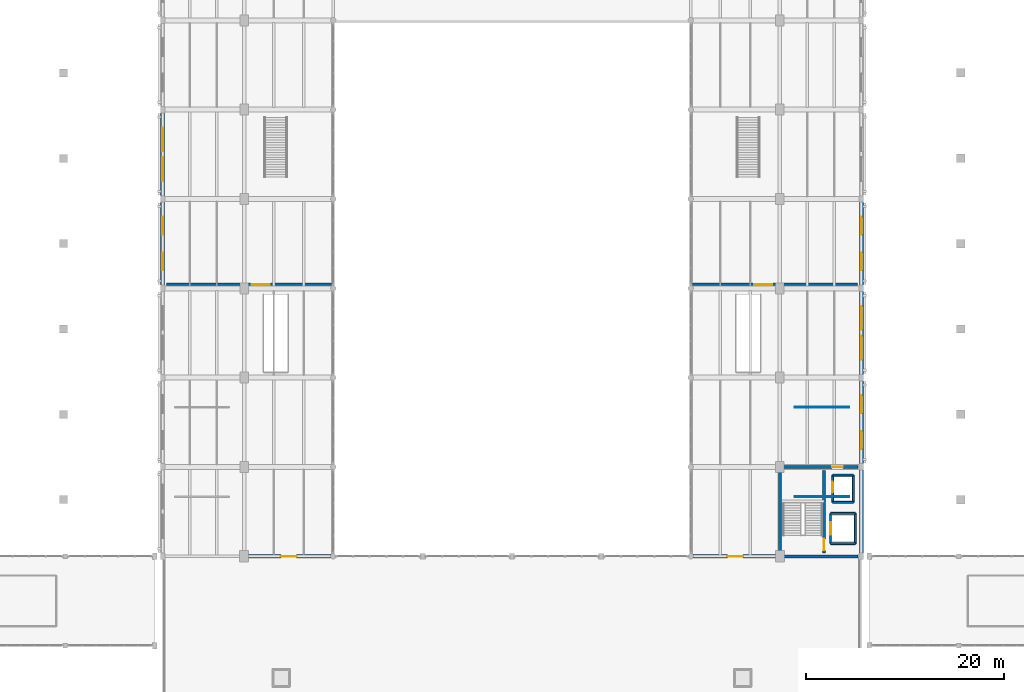
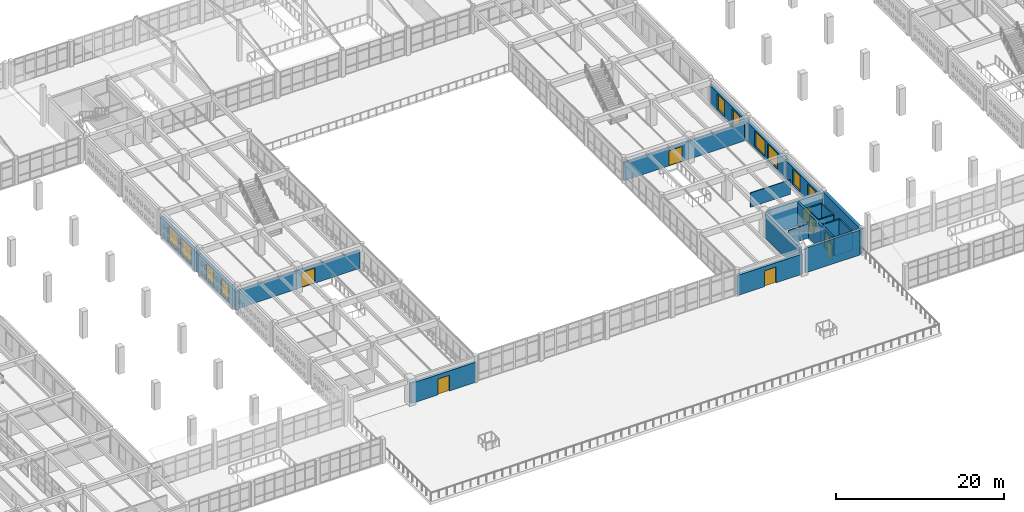
# One storey, part 129 of 156: 24 walls, 10 windows, 8 doors, 18 openings.
"""IFC4 building model written with IfcOpenShell, lengths in metres."""

from ifc_helpers import new_model, si_unit, direction, frame, frame_2d, origin, place, context, subcontext, project, spatial, rectangle, extrude, material, layer, layer_set, type_object, element, fill, save


model = new_model("IFC4")

# Units and contexts
model_context = context("Model", 3, precision=1e-05, world=origin(), true_north=direction((0.0, 1.0)))
body_context = subcontext(model_context, "Body", "Model", "MODEL_VIEW")
ifc_project = project(units=[si_unit("LENGTHUNIT", "METRE"), si_unit("AREAUNIT", "SQUARE_METRE"), si_unit("VOLUMEUNIT", "CUBIC_METRE"), si_unit("PLANEANGLEUNIT", "RADIAN"), si_unit("MASSUNIT", "GRAM", prefix="KILO")], contexts=[model_context])

# Site, building, storey
site_placement = place(None, origin())
site = spatial("IfcSite", under=ifc_project, at=site_placement, CompositionType="ELEMENT")
building_placement = place(site_placement, origin())
building = spatial("IfcBuilding", under=site, at=building_placement, Name="Ornek Quay Market", CompositionType="ELEMENT")
storey_placement = place(building_placement, frame((0.0, 0.0, 4.5)))
storey = spatial("IfcBuildingStorey", under=building, at=storey_placement, Name="L01", CompositionType="ELEMENT", Elevation=4.5)

# Wall, opening, door
ifc_material_1 = material(Name="Concrete C40/50", Category="concrete")
ifc_layer_1 = layer(ifc_material_1, 0.300048828125, Name="Concrete C40/50", Category="concrete")
ifc_layer_set_1 = layer_set([ifc_layer_1], Name="Concrete C40/50")
wall_type_1 = type_object("IfcWallType", Name="WL-CORE-300", PredefinedType="SHEAR", material=ifc_layer_set_1)
wall_1_placement = place(storey_placement, frame((121.449951171875, 29.35009765625, 0.0), z_axis=(0.0, 0.0, 1.0), x_axis=(0.0, 1.0, 0.0)))
wall_1 = element("IfcWall", 1, at=wall_1_placement, inside=storey, type_object=wall_type_1, Name="Interior wall W-CORE1-098", PredefinedType="SHEAR", context=body_context, shape_type="SweptSolid", body=[
    extrude(rectangle(XDim=8.2998046875, YDim=0.300048828125, at=frame_2d((4.14990234375, 0.0))), origin(), (0.0, 0.0, 1.0), 3.6201171875),
])
opening_1_placement = place(wall_1_placement, frame((0.25, 0.0, 0.0)))
opening_1 = element("IfcOpeningElement", 2, at=opening_1_placement, cuts=wall_1, Name="Opening FD-03-038", PredefinedType="OPENING", context=body_context, shape_type="SweptSolid", body=[
    extrude(rectangle(XDim=1.14990234375, YDim=2.14990234375, at=frame_2d((0.574951171875, 1.074951171875))), frame((0.0, 0.159912109375, 0.0), z_axis=(0.0, -1.0, 0.0), x_axis=(1.0, 0.0, 0.0)), (0.0, 0.0, 1.0), 0.320068359375),
])
ifc_material_2 = material(Name="Insulated fire-rated painted steel", Category="steel")
door_type_1 = type_object("IfcDoorType", Name="DR-FIRE-STAIR-1150x2150", OperationType="NOTDEFINED", PredefinedType="DOOR", material=ifc_material_2)
door_1_placement = place(opening_1_placement, origin())
door_1 = element("IfcDoor", 3, at=door_1_placement, inside=storey, type_object=door_type_1, Name="Interior door FD-03-038", OperationType="SINGLE_SWING_LEFT", OverallHeight=2.14990234375, OverallWidth=1.14990234375, PredefinedType="DOOR", context=body_context, shape_type="SweptSolid", body=[
    extrude(rectangle(XDim=1.14990234375, YDim=2.14990234375, at=frame_2d((0.574951171875, 1.074951171875))), frame((0.0, 0.02490234375, 0.0), z_axis=(0.0, -1.0, 0.0), x_axis=(1.0, 0.0, 0.0)), (0.0, 0.0, 1.0), 0.050048828125),
])
fill(opening_1, door_1)

# Walls
wall_2_placement = place(storey_placement, frame((117.0, 29.35009765625, 0.0), z_axis=(0.0, 0.0, 1.0), x_axis=(0.0, 1.0, 0.0)))
element("IfcWall", 4, at=wall_2_placement, inside=storey, type_object=wall_type_1, Name="Interior wall W-CORE1-099", PredefinedType="SHEAR", context=body_context, shape_type="SweptSolid", body=[
    extrude(rectangle(XDim=8.2998046875, YDim=0.300048828125, at=frame_2d((4.14990234375, 0.0))), origin(), (0.0, 0.0, 1.0), 3.6201171875),
])
wall_3_placement = place(storey_placement, frame((117.35009765625, 29.0, 0.0), z_axis=(0.0, 0.0, 1.0), x_axis=(1.0, 0.0, 0.0)))
element("IfcWall", 5, at=wall_3_placement, inside=storey, type_object=wall_type_1, Name="Interior wall W-CORE1-100", PredefinedType="SHEAR", context=body_context, shape_type="SweptSolid", body=[
    extrude(rectangle(XDim=7.5, YDim=0.300048828125, at=frame_2d((3.75, 0.0))), origin(), (0.0, 0.0, 1.0), 3.6201171875),
])

# Wall, opening, door
wall_4_placement = place(storey_placement, frame((117.35009765625, 38.0, 0.0), z_axis=(0.0, 0.0, 1.0), x_axis=(1.0, 0.0, 0.0)))
wall_4 = element("IfcWall", 6, at=wall_4_placement, inside=storey, type_object=wall_type_1, Name="Interior wall W-CORE1-101", PredefinedType="SHEAR", context=body_context, shape_type="SweptSolid", body=[
    extrude(rectangle(XDim=7.5, YDim=0.300048828125, at=frame_2d((3.75, 0.0))), origin(), (0.0, 0.0, 1.0), 3.6201171875),
])
opening_2_placement = place(wall_4_placement, frame((4.89990234375, 0.0, 0.0)))
opening_2 = element("IfcOpeningElement", 7, at=opening_2_placement, cuts=wall_4, Name="Opening FD-04-039", PredefinedType="OPENING", context=body_context, shape_type="SweptSolid", body=[
    extrude(rectangle(XDim=1.10009765625, YDim=2.10009765625, at=frame_2d((0.550048828125, 1.050048828125))), frame((0.0, 0.159912109375, 0.0), z_axis=(0.0, -1.0, 0.0), x_axis=(1.0, 0.0, 0.0)), (0.0, 0.0, 1.0), 0.320068359375),
])
door_type_2 = type_object("IfcDoorType", Name="DR-FIRE-LOBBY-1100x2100", OperationType="NOTDEFINED", PredefinedType="DOOR", material=ifc_material_2)
door_2_placement = place(opening_2_placement, origin())
door_2 = element("IfcDoor", 8, at=door_2_placement, inside=storey, type_object=door_type_2, Name="Interior door FD-04-039", OperationType="SINGLE_SWING_RIGHT", OverallHeight=2.10009765625, OverallWidth=1.10009765625, PredefinedType="DOOR", context=body_context, shape_type="SweptSolid", body=[
    extrude(rectangle(XDim=1.10009765625, YDim=2.10009765625, at=frame_2d((0.550048828125, 1.050048828125))), frame((0.0, 0.02490234375, 0.0), z_axis=(0.0, -1.0, 0.0), x_axis=(1.0, 0.0, 0.0)), (0.0, 0.0, 1.0), 0.050048828125),
])
fill(opening_2, door_2)

ifc_material_3 = material(Name="Concrete C45/55", Category="concrete")
ifc_layer_2 = layer(ifc_material_3, 0.340087890625, Name="Concrete C45/55", Category="concrete")
ifc_layer_set_2 = layer_set([ifc_layer_2], Name="Concrete C45/55")
wall_type_2 = type_object("IfcWallType", Name="WL-EXT-GAB-340", PredefinedType="SOLIDWALL", material=ifc_layer_set_2)
wall_5_placement = place(storey_placement, frame((63.0, 29.0, 0.0), z_axis=(0.0, 0.0, 1.0), x_axis=(1.0, 0.0, 0.0)))
wall_5 = element("IfcWall", 9, at=wall_5_placement, inside=storey, type_object=wall_type_2, Name="Exterior wall EW-149", PredefinedType="SOLIDWALL", context=body_context, shape_type="SweptSolid", body=[
    extrude(rectangle(XDim=9.0, YDim=0.340087890625, at=frame_2d((4.5, 0.0))), origin(), (0.0, 0.0, 1.0), 2.93994140625),
])
opening_3_placement = place(wall_5_placement, frame((3.699951171875, 0.0, 0.0)))
opening_3 = element("IfcOpeningElement", 10, at=opening_3_placement, cuts=wall_5, Name="Opening ED-04-035", PredefinedType="OPENING", context=body_context, shape_type="SweptSolid", body=[
    extrude(rectangle(XDim=1.60009765625, YDim=2.300048828125, at=frame_2d((0.800048828125, 1.14990234375))), frame((0.0, 0.179931640625, 0.0), z_axis=(0.0, -1.0, 0.0), x_axis=(1.0, 0.0, 0.0)), (0.0, 0.0, 1.0), 0.360107421875),
])
ifc_material_4 = material(Name="Anodised bronze aluminium and triple glass", Category="aluminium")
door_type_3 = type_object("IfcDoorType", Name="DR-EXT-TER-1600x2300", OperationType="DOUBLE_DOOR_SINGLE_SWING", PredefinedType="DOOR", material=ifc_material_4)
door_3_placement = place(opening_3_placement, origin())
door_3 = element("IfcDoor", 11, at=door_3_placement, inside=storey, type_object=door_type_3, Name="Exterior door ED-04-035", OperationType="DOUBLE_DOOR_SINGLE_SWING", OverallHeight=2.300048828125, OverallWidth=1.60009765625, PredefinedType="DOOR", context=body_context, shape_type="SweptSolid", body=[
    extrude(rectangle(XDim=1.60009765625, YDim=2.300048828125, at=frame_2d((0.800048828125, 1.14990234375))), frame((0.0, 0.02490234375, 0.0), z_axis=(0.0, -1.0, 0.0), x_axis=(1.0, 0.0, 0.0)), (0.0, 0.0, 1.0), 0.050048828125),
])
fill(opening_3, door_3)

wall_6_placement = place(storey_placement, frame((108.0, 29.0, 0.0), z_axis=(0.0, 0.0, 1.0), x_axis=(1.0, 0.0, 0.0)))
wall_6 = element("IfcWall", 12, at=wall_6_placement, inside=storey, type_object=wall_type_2, Name="Exterior wall EW-150", PredefinedType="SOLIDWALL", context=body_context, shape_type="SweptSolid", body=[
    extrude(rectangle(XDim=9.0, YDim=0.340087890625, at=frame_2d((4.5, 0.0))), origin(), (0.0, 0.0, 1.0), 2.93994140625),
])
opening_4_placement = place(wall_6_placement, frame((3.699951171875, 0.0, 0.0)))
opening_4 = element("IfcOpeningElement", 13, at=opening_4_placement, cuts=wall_6, Name="Opening ED-04-036", PredefinedType="OPENING", context=body_context, shape_type="SweptSolid", body=[
    extrude(rectangle(XDim=1.60009765625, YDim=2.300048828125, at=frame_2d((0.800048828125, 1.14990234375))), frame((0.0, 0.179931640625, 0.0), z_axis=(0.0, -1.0, 0.0), x_axis=(1.0, 0.0, 0.0)), (0.0, 0.0, 1.0), 0.360107421875),
])
door_4_placement = place(opening_4_placement, origin())
door_4 = element("IfcDoor", 14, at=door_4_placement, inside=storey, type_object=door_type_3, Name="Exterior door ED-04-036", OperationType="DOUBLE_DOOR_SINGLE_SWING", OverallHeight=2.300048828125, OverallWidth=1.60009765625, PredefinedType="DOOR", context=body_context, shape_type="SweptSolid", body=[
    extrude(rectangle(XDim=1.60009765625, YDim=2.300048828125, at=frame_2d((0.800048828125, 1.14990234375))), frame((0.0, 0.02490234375, 0.0), z_axis=(0.0, -1.0, 0.0), x_axis=(1.0, 0.0, 0.0)), (0.0, 0.0, 1.0), 0.050048828125),
])
fill(opening_4, door_4)

# Wall, openings, windows
ifc_material_5 = material(Name="Frost-resistant facing clay brick M200 F100", Category="masonry")
ifc_layer_3 = layer(ifc_material_5, 0.419921875, Name="Frost-resistant facing clay brick M200 F100", Category="masonry")
ifc_layer_set_3 = layer_set([ifc_layer_3], Name="Frost-resistant facing clay brick M200 F100")
wall_type_3 = type_object("IfcWallType", Name="WL-EXT-HALL-420", PredefinedType="STANDARD", material=ifc_layer_set_3)
wall_7_placement = place(storey_placement, frame((54.800048828125, 56.0, 0.0), z_axis=(0.0, 0.0, 1.0), x_axis=(0.0, 1.0, 0.0)))
wall_7 = element("IfcWall", 15, at=wall_7_placement, inside=storey, type_object=wall_type_3, Name="Exterior wall EW-130", PredefinedType="STANDARD", context=body_context, shape_type="SweptSolid", body=[
    extrude(rectangle(XDim=9.0, YDim=0.419921875, at=frame_2d((4.5, 0.0))), origin(), (0.0, 0.0, 1.0), 2.7900390625),
])
opening_5_placement = place(wall_7_placement, frame((1.800048828125, 0.0, 0.35009765625)))
opening_5 = element("IfcOpeningElement", 16, at=opening_5_placement, cuts=wall_7, Name="Opening W-02-092", PredefinedType="OPENING", context=body_context, shape_type="SweptSolid", body=[
    extrude(rectangle(XDim=1.800048828125, YDim=2.260009765625, at=frame_2d((0.89990234375, 1.1298828125))), frame((0.0, 0.219970703125, 0.0), z_axis=(0.0, -1.0, 0.0), x_axis=(1.0, 0.0, 0.0)), (0.0, 0.0, 1.0), 0.43994140625),
])
opening_6_placement = place(wall_7_placement, frame((5.39990234375, 0.0, 0.35009765625)))
opening_6 = element("IfcOpeningElement", 17, at=opening_6_placement, cuts=wall_7, Name="Opening W-02-093", PredefinedType="OPENING", context=body_context, shape_type="SweptSolid", body=[
    extrude(rectangle(XDim=1.800048828125, YDim=2.260009765625, at=frame_2d((0.89990234375, 1.1298828125))), frame((0.0, 0.219970703125, 0.0), z_axis=(0.0, -1.0, 0.0), x_axis=(1.0, 0.0, 0.0)), (0.0, 0.0, 1.0), 0.43994140625),
])
ifc_material_6 = material(Name="Thermally broken bronze aluminium and triple low-e glass", Category="aluminium")
window_type_1 = type_object("IfcWindowType", Name="WN-HALL-1800x2600", PartitioningType="DOUBLE_PANEL_VERTICAL", PredefinedType="WINDOW", material=ifc_material_6)
window_1_placement = place(opening_5_placement, origin())
window_1 = element("IfcWindow", 18, at=window_1_placement, inside=storey, type_object=window_type_1, Name="Window W-02-092", OverallHeight=2.260009765625, OverallWidth=1.800048828125, PartitioningType="SINGLE_PANEL", PredefinedType="WINDOW", context=body_context, shape_type="SweptSolid", body=[
    extrude(rectangle(XDim=1.800048828125, YDim=2.260009765625, at=frame_2d((0.89990234375, 1.1298828125))), frame((0.0, 0.030029296875, 0.0), z_axis=(0.0, -1.0, 0.0), x_axis=(1.0, 0.0, 0.0)), (0.0, 0.0, 1.0), 0.06005859375),
])
fill(opening_5, window_1)
window_2_placement = place(opening_6_placement, origin())
window_2 = element("IfcWindow", 19, at=window_2_placement, inside=storey, type_object=window_type_1, Name="Window W-02-093", OverallHeight=2.260009765625, OverallWidth=1.800048828125, PartitioningType="SINGLE_PANEL", PredefinedType="WINDOW", context=body_context, shape_type="SweptSolid", body=[
    extrude(rectangle(XDim=1.800048828125, YDim=2.260009765625, at=frame_2d((0.89990234375, 1.1298828125))), frame((0.0, 0.030029296875, 0.0), z_axis=(0.0, -1.0, 0.0), x_axis=(1.0, 0.0, 0.0)), (0.0, 0.0, 1.0), 0.06005859375),
])
fill(opening_6, window_2)

wall_8_placement = place(storey_placement, frame((54.800048828125, 65.0, 0.0), z_axis=(0.0, 0.0, 1.0), x_axis=(0.0, 1.0, 0.0)))
wall_8 = element("IfcWall", 20, at=wall_8_placement, inside=storey, type_object=wall_type_3, Name="Exterior wall EW-131", PredefinedType="STANDARD", context=body_context, shape_type="SweptSolid", body=[
    extrude(rectangle(XDim=9.0, YDim=0.419921875, at=frame_2d((4.5, 0.0))), origin(), (0.0, 0.0, 1.0), 2.7900390625),
])
opening_7_placement = place(wall_8_placement, frame((1.800048828125, 0.0, 0.35009765625)))
opening_7 = element("IfcOpeningElement", 21, at=opening_7_placement, cuts=wall_8, Name="Opening W-01-094", PredefinedType="OPENING", context=body_context, shape_type="SweptSolid", body=[
    extrude(rectangle(XDim=2.39990234375, YDim=2.260009765625, at=frame_2d((1.199951171875, 1.1298828125))), frame((0.0, 0.219970703125, 0.0), z_axis=(0.0, -1.0, 0.0), x_axis=(1.0, 0.0, 0.0)), (0.0, 0.0, 1.0), 0.43994140625),
])
opening_8_placement = place(wall_8_placement, frame((4.800048828125, 0.0, 0.35009765625)))
opening_8 = element("IfcOpeningElement", 22, at=opening_8_placement, cuts=wall_8, Name="Opening W-01-095", PredefinedType="OPENING", context=body_context, shape_type="SweptSolid", body=[
    extrude(rectangle(XDim=2.39990234375, YDim=2.260009765625, at=frame_2d((1.199951171875, 1.1298828125))), frame((0.0, 0.219970703125, 0.0), z_axis=(0.0, -1.0, 0.0), x_axis=(1.0, 0.0, 0.0)), (0.0, 0.0, 1.0), 0.43994140625),
])
window_type_2 = type_object("IfcWindowType", Name="WN-HALL-2400x2600", PartitioningType="DOUBLE_PANEL_VERTICAL", PredefinedType="WINDOW", material=ifc_material_6)
window_3_placement = place(opening_7_placement, origin())
window_3 = element("IfcWindow", 23, at=window_3_placement, inside=storey, type_object=window_type_2, Name="Window W-01-094", OverallHeight=2.260009765625, OverallWidth=2.39990234375, PartitioningType="SINGLE_PANEL", PredefinedType="WINDOW", context=body_context, shape_type="SweptSolid", body=[
    extrude(rectangle(XDim=2.39990234375, YDim=2.260009765625, at=frame_2d((1.199951171875, 1.1298828125))), frame((0.0, 0.030029296875, 0.0), z_axis=(0.0, -1.0, 0.0), x_axis=(1.0, 0.0, 0.0)), (0.0, 0.0, 1.0), 0.06005859375),
])
fill(opening_7, window_3)
window_4_placement = place(opening_8_placement, origin())
window_4 = element("IfcWindow", 24, at=window_4_placement, inside=storey, type_object=window_type_2, Name="Window W-01-095", OverallHeight=2.260009765625, OverallWidth=2.39990234375, PartitioningType="SINGLE_PANEL", PredefinedType="WINDOW", context=body_context, shape_type="SweptSolid", body=[
    extrude(rectangle(XDim=2.39990234375, YDim=2.260009765625, at=frame_2d((1.199951171875, 1.1298828125))), frame((0.0, 0.030029296875, 0.0), z_axis=(0.0, -1.0, 0.0), x_axis=(1.0, 0.0, 0.0)), (0.0, 0.0, 1.0), 0.06005859375),
])
fill(opening_8, window_4)

# Wall
wall_9_placement = place(storey_placement, frame((125.199951171875, 29.0, 0.0), z_axis=(0.0, 0.0, 1.0), x_axis=(0.0, 1.0, 0.0)))
element("IfcWall", 25, at=wall_9_placement, inside=storey, type_object=wall_type_3, Name="Exterior wall EW-134", PredefinedType="STANDARD", context=body_context, shape_type="SweptSolid", body=[
    extrude(rectangle(XDim=9.0, YDim=0.419921875, at=frame_2d((4.5, 0.0))), origin(), (0.0, 0.0, 1.0), 3.659912109375),
])

# Wall, openings, windows
wall_10_placement = place(storey_placement, frame((125.199951171875, 38.0, 0.0), z_axis=(0.0, 0.0, 1.0), x_axis=(0.0, 1.0, 0.0)))
wall_10 = element("IfcWall", 26, at=wall_10_placement, inside=storey, type_object=wall_type_3, Name="Exterior wall EW-135", PredefinedType="STANDARD", context=body_context, shape_type="SweptSolid", body=[
    extrude(rectangle(XDim=9.0, YDim=0.419921875, at=frame_2d((4.5, 0.0))), origin(), (0.0, 0.0, 1.0), 2.7900390625),
])
opening_9_placement = place(wall_10_placement, frame((1.800048828125, 0.0, 0.35009765625)))
opening_9 = element("IfcOpeningElement", 27, at=opening_9_placement, cuts=wall_10, Name="Opening W-02-100", PredefinedType="OPENING", context=body_context, shape_type="SweptSolid", body=[
    extrude(rectangle(XDim=1.800048828125, YDim=2.260009765625, at=frame_2d((0.89990234375, 1.1298828125))), frame((0.0, 0.219970703125, 0.0), z_axis=(0.0, -1.0, 0.0), x_axis=(1.0, 0.0, 0.0)), (0.0, 0.0, 1.0), 0.43994140625),
])
opening_10_placement = place(wall_10_placement, frame((5.39990234375, 0.0, 0.35009765625)))
opening_10 = element("IfcOpeningElement", 28, at=opening_10_placement, cuts=wall_10, Name="Opening W-02-101", PredefinedType="OPENING", context=body_context, shape_type="SweptSolid", body=[
    extrude(rectangle(XDim=1.800048828125, YDim=2.260009765625, at=frame_2d((0.89990234375, 1.1298828125))), frame((0.0, 0.219970703125, 0.0), z_axis=(0.0, -1.0, 0.0), x_axis=(1.0, 0.0, 0.0)), (0.0, 0.0, 1.0), 0.43994140625),
])
window_5_placement = place(opening_9_placement, origin())
window_5 = element("IfcWindow", 29, at=window_5_placement, inside=storey, type_object=window_type_1, Name="Window W-02-100", OverallHeight=2.260009765625, OverallWidth=1.800048828125, PartitioningType="SINGLE_PANEL", PredefinedType="WINDOW", context=body_context, shape_type="SweptSolid", body=[
    extrude(rectangle(XDim=1.800048828125, YDim=2.260009765625, at=frame_2d((0.89990234375, 1.1298828125))), frame((0.0, 0.030029296875, 0.0), z_axis=(0.0, -1.0, 0.0), x_axis=(1.0, 0.0, 0.0)), (0.0, 0.0, 1.0), 0.06005859375),
])
fill(opening_9, window_5)
window_6_placement = place(opening_10_placement, origin())
window_6 = element("IfcWindow", 30, at=window_6_placement, inside=storey, type_object=window_type_1, Name="Window W-02-101", OverallHeight=2.260009765625, OverallWidth=1.800048828125, PartitioningType="SINGLE_PANEL", PredefinedType="WINDOW", context=body_context, shape_type="SweptSolid", body=[
    extrude(rectangle(XDim=1.800048828125, YDim=2.260009765625, at=frame_2d((0.89990234375, 1.1298828125))), frame((0.0, 0.030029296875, 0.0), z_axis=(0.0, -1.0, 0.0), x_axis=(1.0, 0.0, 0.0)), (0.0, 0.0, 1.0), 0.06005859375),
])
fill(opening_10, window_6)

wall_11_placement = place(storey_placement, frame((125.199951171875, 47.0, 0.0), z_axis=(0.0, 0.0, 1.0), x_axis=(0.0, 1.0, 0.0)))
wall_11 = element("IfcWall", 31, at=wall_11_placement, inside=storey, type_object=wall_type_3, Name="Exterior wall EW-136", PredefinedType="STANDARD", context=body_context, shape_type="SweptSolid", body=[
    extrude(rectangle(XDim=9.0, YDim=0.419921875, at=frame_2d((4.5, 0.0))), origin(), (0.0, 0.0, 1.0), 2.7900390625),
])
opening_11_placement = place(wall_11_placement, frame((1.800048828125, 0.0, 0.35009765625)))
opening_11 = element("IfcOpeningElement", 32, at=opening_11_placement, cuts=wall_11, Name="Opening W-01-102", PredefinedType="OPENING", context=body_context, shape_type="SweptSolid", body=[
    extrude(rectangle(XDim=2.39990234375, YDim=2.260009765625, at=frame_2d((1.199951171875, 1.1298828125))), frame((0.0, 0.219970703125, 0.0), z_axis=(0.0, -1.0, 0.0), x_axis=(1.0, 0.0, 0.0)), (0.0, 0.0, 1.0), 0.43994140625),
])
opening_12_placement = place(wall_11_placement, frame((4.800048828125, 0.0, 0.35009765625)))
opening_12 = element("IfcOpeningElement", 33, at=opening_12_placement, cuts=wall_11, Name="Opening W-01-103", PredefinedType="OPENING", context=body_context, shape_type="SweptSolid", body=[
    extrude(rectangle(XDim=2.39990234375, YDim=2.260009765625, at=frame_2d((1.199951171875, 1.1298828125))), frame((0.0, 0.219970703125, 0.0), z_axis=(0.0, -1.0, 0.0), x_axis=(1.0, 0.0, 0.0)), (0.0, 0.0, 1.0), 0.43994140625),
])
window_7_placement = place(opening_11_placement, origin())
window_7 = element("IfcWindow", 34, at=window_7_placement, inside=storey, type_object=window_type_2, Name="Window W-01-102", OverallHeight=2.260009765625, OverallWidth=2.39990234375, PartitioningType="SINGLE_PANEL", PredefinedType="WINDOW", context=body_context, shape_type="SweptSolid", body=[
    extrude(rectangle(XDim=2.39990234375, YDim=2.260009765625, at=frame_2d((1.199951171875, 1.1298828125))), frame((0.0, 0.030029296875, 0.0), z_axis=(0.0, -1.0, 0.0), x_axis=(1.0, 0.0, 0.0)), (0.0, 0.0, 1.0), 0.06005859375),
])
fill(opening_11, window_7)
window_8_placement = place(opening_12_placement, origin())
window_8 = element("IfcWindow", 35, at=window_8_placement, inside=storey, type_object=window_type_2, Name="Window W-01-103", OverallHeight=2.260009765625, OverallWidth=2.39990234375, PartitioningType="SINGLE_PANEL", PredefinedType="WINDOW", context=body_context, shape_type="SweptSolid", body=[
    extrude(rectangle(XDim=2.39990234375, YDim=2.260009765625, at=frame_2d((1.199951171875, 1.1298828125))), frame((0.0, 0.030029296875, 0.0), z_axis=(0.0, -1.0, 0.0), x_axis=(1.0, 0.0, 0.0)), (0.0, 0.0, 1.0), 0.06005859375),
])
fill(opening_12, window_8)

wall_12_placement = place(storey_placement, frame((125.199951171875, 56.0, 0.0), z_axis=(0.0, 0.0, 1.0), x_axis=(0.0, 1.0, 0.0)))
wall_12 = element("IfcWall", 36, at=wall_12_placement, inside=storey, type_object=wall_type_3, Name="Exterior wall EW-137", PredefinedType="STANDARD", context=body_context, shape_type="SweptSolid", body=[
    extrude(rectangle(XDim=9.0, YDim=0.419921875, at=frame_2d((4.5, 0.0))), origin(), (0.0, 0.0, 1.0), 2.7900390625),
])
opening_13_placement = place(wall_12_placement, frame((1.800048828125, 0.0, 0.35009765625)))
opening_13 = element("IfcOpeningElement", 37, at=opening_13_placement, cuts=wall_12, Name="Opening W-02-104", PredefinedType="OPENING", context=body_context, shape_type="SweptSolid", body=[
    extrude(rectangle(XDim=1.800048828125, YDim=2.260009765625, at=frame_2d((0.89990234375, 1.1298828125))), frame((0.0, 0.219970703125, 0.0), z_axis=(0.0, -1.0, 0.0), x_axis=(1.0, 0.0, 0.0)), (0.0, 0.0, 1.0), 0.43994140625),
])
opening_14_placement = place(wall_12_placement, frame((5.39990234375, 0.0, 0.35009765625)))
opening_14 = element("IfcOpeningElement", 38, at=opening_14_placement, cuts=wall_12, Name="Opening W-02-105", PredefinedType="OPENING", context=body_context, shape_type="SweptSolid", body=[
    extrude(rectangle(XDim=1.800048828125, YDim=2.260009765625, at=frame_2d((0.89990234375, 1.1298828125))), frame((0.0, 0.219970703125, 0.0), z_axis=(0.0, -1.0, 0.0), x_axis=(1.0, 0.0, 0.0)), (0.0, 0.0, 1.0), 0.43994140625),
])
window_9_placement = place(opening_13_placement, origin())
window_9 = element("IfcWindow", 39, at=window_9_placement, inside=storey, type_object=window_type_1, Name="Window W-02-104", OverallHeight=2.260009765625, OverallWidth=1.800048828125, PartitioningType="SINGLE_PANEL", PredefinedType="WINDOW", context=body_context, shape_type="SweptSolid", body=[
    extrude(rectangle(XDim=1.800048828125, YDim=2.260009765625, at=frame_2d((0.89990234375, 1.1298828125))), frame((0.0, 0.030029296875, 0.0), z_axis=(0.0, -1.0, 0.0), x_axis=(1.0, 0.0, 0.0)), (0.0, 0.0, 1.0), 0.06005859375),
])
fill(opening_13, window_9)
window_10_placement = place(opening_14_placement, origin())
window_10 = element("IfcWindow", 40, at=window_10_placement, inside=storey, type_object=window_type_1, Name="Window W-02-105", OverallHeight=2.260009765625, OverallWidth=1.800048828125, PartitioningType="SINGLE_PANEL", PredefinedType="WINDOW", context=body_context, shape_type="SweptSolid", body=[
    extrude(rectangle(XDim=1.800048828125, YDim=2.260009765625, at=frame_2d((0.89990234375, 1.1298828125))), frame((0.0, 0.030029296875, 0.0), z_axis=(0.0, -1.0, 0.0), x_axis=(1.0, 0.0, 0.0)), (0.0, 0.0, 1.0), 0.06005859375),
])
fill(opening_14, window_10)

# Wall, opening, door
ifc_material_7 = material(Name="Concrete C35/45", Category="concrete")
ifc_layer_4 = layer(ifc_material_7, 0.239990234375, Name="Concrete C35/45", Category="concrete")
ifc_layer_set_4 = layer_set([ifc_layer_4], Name="Concrete C35/45")
wall_type_4 = type_object("IfcWallType", Name="WL-FIRE-240", PredefinedType="SOLIDWALL", material=ifc_layer_set_4)
wall_13_placement = place(storey_placement, frame((55.199951171875, 56.39990234375, 0.0), z_axis=(0.0, 0.0, 1.0), x_axis=(1.0, 0.0, 0.0)))
wall_13 = element("IfcWall", 41, at=wall_13_placement, inside=storey, type_object=wall_type_4, Name="Interior wall W-FIRE2-184", PredefinedType="SOLIDWALL", context=body_context, shape_type="SweptSolid", body=[
    extrude(rectangle(XDim=16.60009765625, YDim=0.239990234375, at=frame_2d((8.300048828125, 0.0))), origin(), (0.0, 0.0, 1.0), 2.64990234375),
])
opening_15_placement = place(wall_13_placement, frame((8.60009765625, 0.0, 0.0)))
opening_15 = element("IfcOpeningElement", 42, at=opening_15_placement, cuts=wall_13, Name="Opening FD-01-072", PredefinedType="OPENING", context=body_context, shape_type="SweptSolid", body=[
    extrude(rectangle(XDim=1.800048828125, YDim=2.199951171875, at=frame_2d((0.89990234375, 1.10009765625))), frame((0.0, 0.1298828125, 0.0), z_axis=(0.0, -1.0, 0.0), x_axis=(1.0, 0.0, 0.0)), (0.0, 0.0, 1.0), 0.260009765625),
])
door_type_4 = type_object("IfcDoorType", Name="DR-FIRE-DBL-1800x2200", OperationType="DOUBLE_DOOR_SINGLE_SWING", PredefinedType="DOOR", material=ifc_material_2)
door_5_placement = place(opening_15_placement, origin())
door_5 = element("IfcDoor", 43, at=door_5_placement, inside=storey, type_object=door_type_4, Name="Interior door FD-01-072", OperationType="DOUBLE_DOOR_SINGLE_SWING", OverallHeight=2.199951171875, OverallWidth=1.800048828125, PredefinedType="DOOR", context=body_context, shape_type="SweptSolid", body=[
    extrude(rectangle(XDim=1.800048828125, YDim=2.199951171875, at=frame_2d((0.89990234375, 1.10009765625))), frame((0.0, 0.02490234375, 0.0), z_axis=(0.0, -1.0, 0.0), x_axis=(1.0, 0.0, 0.0)), (0.0, 0.0, 1.0), 0.050048828125),
])
fill(opening_15, door_5)

wall_14_placement = place(storey_placement, frame((108.199951171875, 56.39990234375, 0.0), z_axis=(0.0, 0.0, 1.0), x_axis=(1.0, 0.0, 0.0)))
wall_14 = element("IfcWall", 44, at=wall_14_placement, inside=storey, type_object=wall_type_4, Name="Interior wall W-FIRE2-185", PredefinedType="SOLIDWALL", context=body_context, shape_type="SweptSolid", body=[
    extrude(rectangle(XDim=16.60009765625, YDim=0.239990234375, at=frame_2d((8.300048828125, 0.0))), origin(), (0.0, 0.0, 1.0), 2.64990234375),
])
opening_16_placement = place(wall_14_placement, frame((6.199951171875, 0.0, 0.0)))
opening_16 = element("IfcOpeningElement", 45, at=opening_16_placement, cuts=wall_14, Name="Opening FD-01-073", PredefinedType="OPENING", context=body_context, shape_type="SweptSolid", body=[
    extrude(rectangle(XDim=1.800048828125, YDim=2.199951171875, at=frame_2d((0.89990234375, 1.10009765625))), frame((0.0, 0.1298828125, 0.0), z_axis=(0.0, -1.0, 0.0), x_axis=(1.0, 0.0, 0.0)), (0.0, 0.0, 1.0), 0.260009765625),
])
door_6_placement = place(opening_16_placement, origin())
door_6 = element("IfcDoor", 46, at=door_6_placement, inside=storey, type_object=door_type_4, Name="Interior door FD-01-073", OperationType="DOUBLE_DOOR_SINGLE_SWING", OverallHeight=2.199951171875, OverallWidth=1.800048828125, PredefinedType="DOOR", context=body_context, shape_type="SweptSolid", body=[
    extrude(rectangle(XDim=1.800048828125, YDim=2.199951171875, at=frame_2d((0.89990234375, 1.10009765625))), frame((0.0, 0.02490234375, 0.0), z_axis=(0.0, -1.0, 0.0), x_axis=(1.0, 0.0, 0.0)), (0.0, 0.0, 1.0), 0.050048828125),
])
fill(opening_16, door_6)

ifc_layer_5 = layer(ifc_material_7, 0.199951171875, Name="Concrete C35/45", Category="concrete")
ifc_layer_set_5 = layer_set([ifc_layer_5], Name="Concrete C35/45")
wall_type_5 = type_object("IfcWallType", Name="WL-SHAFT-200", PredefinedType="SOLIDWALL", material=ifc_layer_set_5)
wall_15_placement = place(storey_placement, frame((122.110107421875, 30.280029296875, 0.0), z_axis=(0.0, 0.0, 1.0), x_axis=(0.0, 1.0, 0.0)))
wall_15 = element("IfcWall", 47, at=wall_15_placement, inside=storey, type_object=wall_type_5, Name="Interior wall W-CORE3-102", PredefinedType="SOLIDWALL", context=body_context, shape_type="SweptSolid", body=[
    extrude(rectangle(XDim=3.0400390625, YDim=0.199951171875, at=frame_2d((1.52001953125, 0.0))), origin(), (0.0, 0.0, 1.0), 2.64990234375),
])
opening_17_placement = place(wall_15_placement, frame((0.8701171875, 0.0, 0.0)))
opening_17 = element("IfcOpeningElement", 48, at=opening_17_placement, cuts=wall_15, Name="Opening LD-02-040", PredefinedType="OPENING", context=body_context, shape_type="SweptSolid", body=[
    extrude(rectangle(XDim=1.300048828125, YDim=2.199951171875, at=frame_2d((0.64990234375, 1.10009765625))), frame((0.0, 0.10986328125, 0.0), z_axis=(0.0, -1.0, 0.0), x_axis=(1.0, 0.0, 0.0)), (0.0, 0.0, 1.0), 0.219970703125),
])
ifc_material_8 = material(Name="Brushed stainless steel goods lift door", Category="steel")
door_type_5 = type_object("IfcDoorType", Name="DR-LIFT-1300x2200", OperationType="DOUBLE_DOOR_SLIDING", PredefinedType="DOOR", material=ifc_material_8)
door_7_placement = place(opening_17_placement, origin())
door_7 = element("IfcDoor", 49, at=door_7_placement, inside=storey, type_object=door_type_5, Name="Interior door LD-02-040", OperationType="DOUBLE_DOOR_SLIDING", OverallHeight=2.199951171875, OverallWidth=1.300048828125, PredefinedType="DOOR", context=body_context, shape_type="SweptSolid", body=[
    extrude(rectangle(XDim=1.300048828125, YDim=2.199951171875, at=frame_2d((0.64990234375, 1.10009765625))), frame((0.0, 0.02490234375, 0.0), z_axis=(0.0, -1.0, 0.0), x_axis=(1.0, 0.0, 0.0)), (0.0, 0.0, 1.0), 0.050048828125),
])
fill(opening_17, door_7)

# Walls
for number, where, z_axis, x_axis, name in (
    (50, (122.110107421875, 30.280029296875, 0.0), (0.0, 0.0, 1.0), (1.0, 0.0, 0.0), "Interior wall W-CORE3-103"),
    (51, (122.110107421875, 33.320068359375, 0.0), (0.0, 0.0, 1.0), (1.0, 0.0, 0.0), "Interior wall W-CORE3-104"),
):
    element("IfcWall", number, at=place(storey_placement, frame(where, z_axis=z_axis, x_axis=x_axis)), inside=storey, type_object=wall_type_5, Name=name, PredefinedType="SOLIDWALL", context=body_context, shape_type="SweptSolid", body=[
        extrude(rectangle(XDim=2.47998046875, YDim=0.199951171875, at=frame_2d((1.239990234375, 0.0))), origin(), (0.0, 0.0, 1.0), 2.64990234375),
    ])
wall_16_placement = place(storey_placement, frame((124.590087890625, 30.280029296875, 0.0), z_axis=(0.0, 0.0, 1.0), x_axis=(0.0, 1.0, 0.0)))
element("IfcWall", 52, at=wall_16_placement, inside=storey, type_object=wall_type_5, Name="Interior wall W-CORE3-105", PredefinedType="SOLIDWALL", context=body_context, shape_type="SweptSolid", body=[
    extrude(rectangle(XDim=3.0400390625, YDim=0.199951171875, at=frame_2d((1.52001953125, 0.0))), origin(), (0.0, 0.0, 1.0), 2.64990234375),
])

# Wall, opening, door
wall_17_placement = place(storey_placement, frame((122.31005859375, 34.429931640625, 0.0), z_axis=(0.0, 0.0, 1.0), x_axis=(0.0, 1.0, 0.0)))
wall_17 = element("IfcWall", 53, at=wall_17_placement, inside=storey, type_object=wall_type_5, Name="Interior wall W-CORE3-106", PredefinedType="SOLIDWALL", context=body_context, shape_type="SweptSolid", body=[
    extrude(rectangle(XDim=2.739990234375, YDim=0.199951171875, at=frame_2d((1.3701171875, 0.0))), origin(), (0.0, 0.0, 1.0), 2.64990234375),
])
opening_18_placement = place(wall_17_placement, frame((0.969970703125, 0.0, 0.0)))
opening_18 = element("IfcOpeningElement", 54, at=opening_18_placement, cuts=wall_17, Name="Opening LD-01-041", PredefinedType="OPENING", context=body_context, shape_type="SweptSolid", body=[
    extrude(rectangle(XDim=1.10009765625, YDim=2.10009765625, at=frame_2d((0.550048828125, 1.050048828125))), frame((0.0, 0.10986328125, 0.0), z_axis=(0.0, -1.0, 0.0), x_axis=(1.0, 0.0, 0.0)), (0.0, 0.0, 1.0), 0.219970703125),
])
ifc_material_9 = material(Name="Brushed stainless steel landing door", Category="steel")
door_type_6 = type_object("IfcDoorType", Name="DR-LIFT-1100x2100", OperationType="SLIDING_TO_LEFT", PredefinedType="DOOR", material=ifc_material_9)
door_8_placement = place(opening_18_placement, origin())
door_8 = element("IfcDoor", 55, at=door_8_placement, inside=storey, type_object=door_type_6, Name="Interior door LD-01-041", OperationType="SLIDING_TO_LEFT", OverallHeight=2.10009765625, OverallWidth=1.10009765625, PredefinedType="DOOR", context=body_context, shape_type="SweptSolid", body=[
    extrude(rectangle(XDim=1.10009765625, YDim=2.10009765625, at=frame_2d((0.550048828125, 1.050048828125))), frame((0.0, 0.02490234375, 0.0), z_axis=(0.0, -1.0, 0.0), x_axis=(1.0, 0.0, 0.0)), (0.0, 0.0, 1.0), 0.050048828125),
])
fill(opening_18, door_8)

# Walls
for number, where, z_axis, x_axis, name in (
    (56, (122.31005859375, 34.429931640625, 0.0), (0.0, 0.0, 1.0), (1.0, 0.0, 0.0), "Interior wall W-CORE3-107"),
    (57, (122.31005859375, 37.169921875, 0.0), (0.0, 0.0, 1.0), (1.0, 0.0, 0.0), "Interior wall W-CORE3-108"),
):
    element("IfcWall", number, at=place(storey_placement, frame(where, z_axis=z_axis, x_axis=x_axis)), inside=storey, type_object=wall_type_5, Name=name, PredefinedType="SOLIDWALL", context=body_context, shape_type="SweptSolid", body=[
        extrude(rectangle(XDim=2.079833984375, YDim=0.199951171875, at=frame_2d((1.0400390625, 0.0))), origin(), (0.0, 0.0, 1.0), 2.64990234375),
    ])
wall_18_placement = place(storey_placement, frame((124.389892578125, 34.429931640625, 0.0), z_axis=(0.0, 0.0, 1.0), x_axis=(0.0, 1.0, 0.0)))
element("IfcWall", 58, at=wall_18_placement, inside=storey, type_object=wall_type_5, Name="Interior wall W-CORE3-109", PredefinedType="SOLIDWALL", context=body_context, shape_type="SweptSolid", body=[
    extrude(rectangle(XDim=2.739990234375, YDim=0.199951171875, at=frame_2d((1.3701171875, 0.0))), origin(), (0.0, 0.0, 1.0), 2.64990234375),
])
ifc_material_10 = material(Name="Demountable timber-framed stall partition", Category="wood")
ifc_layer_6 = layer(ifc_material_10, 0.10009765625, Name="Demountable timber-framed stall partition", Category="wood")
ifc_layer_set_6 = layer_set([ifc_layer_6], Name="Demountable timber-framed stall partition")
wall_type_6 = type_object("IfcWallType", Name="WL-STALL-100", PredefinedType="PARTITIONING", material=ifc_layer_set_6)
for number, where, z_axis, x_axis, name in (
    (59, (118.5, 35.0, 0.0), (0.0, 0.0, 1.0), (1.0, 0.0, 0.0), "Interior wall W-STL2-374"),
    (60, (118.5, 44.0, 0.0), (0.0, 0.0, 1.0), (1.0, 0.0, 0.0), "Interior wall W-STL2-376"),
):
    element("IfcWall", number, at=place(storey_placement, frame(where, z_axis=z_axis, x_axis=x_axis)), inside=storey, type_object=wall_type_6, Name=name, PredefinedType="PARTITIONING", context=body_context, shape_type="SweptSolid", body=[
        extrude(rectangle(XDim=5.5, YDim=0.10009765625, at=frame_2d((2.75, 0.0))), origin(), (0.0, 0.0, 1.0), 2.10009765625),
    ])

save(model, "model.ifc")
